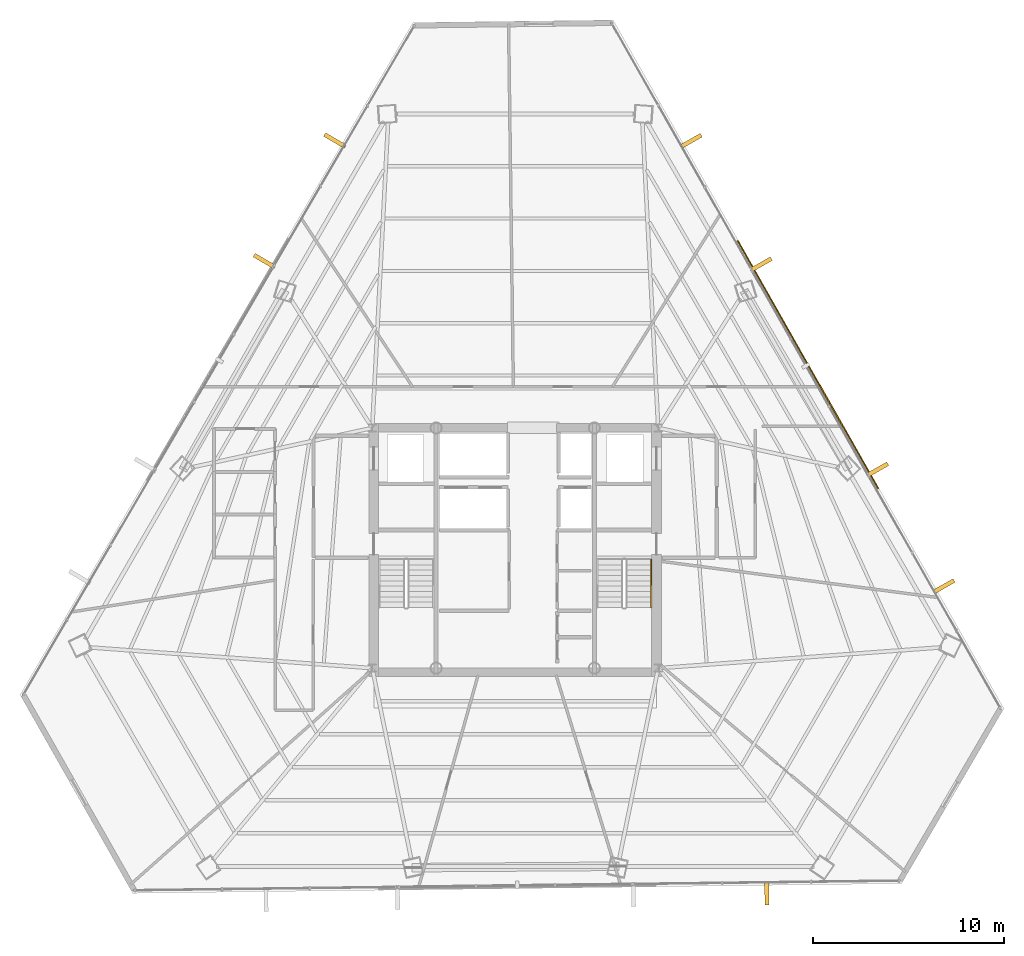
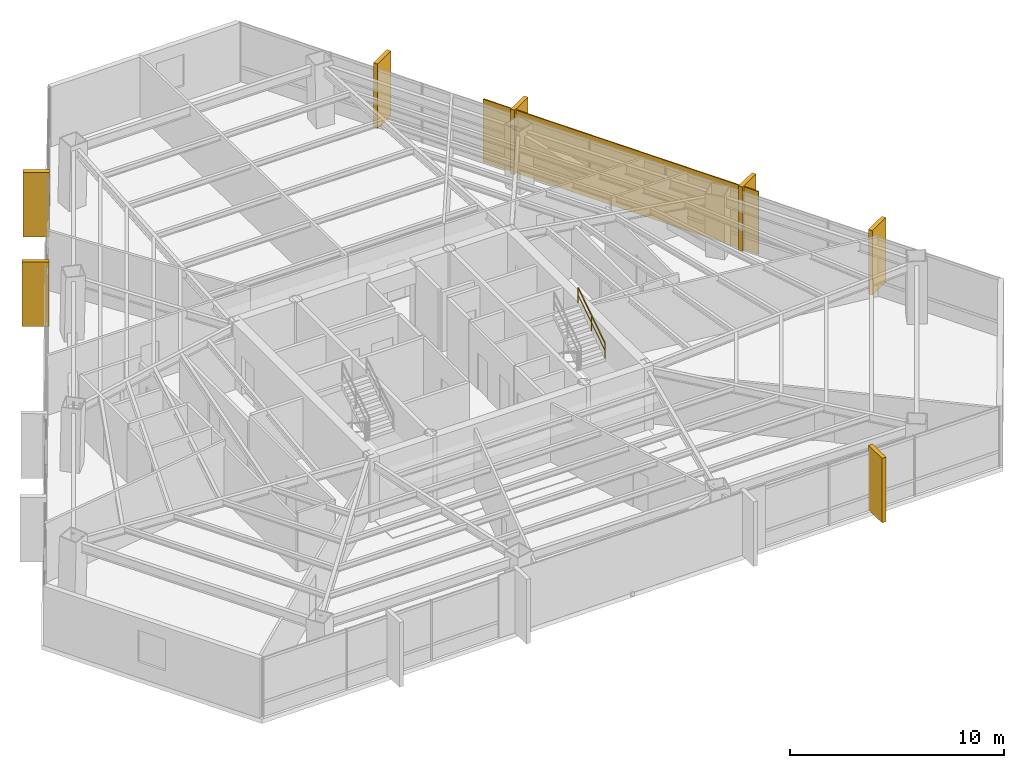
# One storey, part 41 of 41: 7 coverings, 1 railing, 1 shading device.
"""IFC4 building model written with IfcOpenShell, lengths in metres."""

from ifc_helpers import new_model, si_unit, direction, frame, origin, origin_2d, place, context, subcontext, project, spatial, rectangle, extrude, source, transform, mapped, material, layer, layer_set, type_object, type_shapes, element, save


model = new_model("IFC4")

# Units and contexts
model_context = context("Model", 3, precision=1e-05, world=origin(), true_north=direction((0.0, 1.0)))
body_context = subcontext(model_context, "Body", "Model", "MODEL_VIEW")
ifc_project = project(units=[si_unit("LENGTHUNIT", "METRE"), si_unit("AREAUNIT", "SQUARE_METRE"), si_unit("VOLUMEUNIT", "CUBIC_METRE"), si_unit("PLANEANGLEUNIT", "RADIAN"), si_unit("MASSUNIT", "GRAM", prefix="KILO")], contexts=[model_context])

# Site, building, storey
site_placement = place(None, origin())
site = spatial("IfcSite", under=ifc_project, at=site_placement, CompositionType="ELEMENT")
building_placement = place(site_placement, origin())
building = spatial("IfcBuilding", under=site, at=building_placement, Name="Caelisora Broadcast Tower", CompositionType="ELEMENT")
storey_placement = place(building_placement, frame((0.0, 0.0, 135.449951171875)))
storey = spatial("IfcBuildingStorey", under=building, at=storey_placement, Name="L35", CompositionType="ELEMENT", Elevation=135.449951171875)

# Railing
ifc_material_1 = material(Name="Stainless Steel Grade 316 Tubular Handrail", Category="steel")
ifc_layer_1 = layer(ifc_material_1, 0.048095703125, Name="Stainless Steel Grade 316 Tubular Handrail")
ifc_layer_set_1 = layer_set([ifc_layer_1], Name="Stainless Steel Grade 316 Tubular Handrail")
railing_type = type_object("IfcRailingType", Name="HR-1", PredefinedType="HANDRAIL", material=ifc_layer_set_1)
railing_placement = place(storey_placement, frame((45.1298828125, 20.580078125, 2.007568359375)))
element("IfcRailing", 1, at=railing_placement, inside=storey, type_object=railing_type, Name="L35 ST-2 stair handrail 2", PredefinedType="HANDRAIL", context=body_context, shape_type="SweptSolid", body=[
    extrude(rectangle(XDim=0.048095703125, YDim=0.048095703125, at=origin_2d()), frame((0.0, 0.0, 0.8759765625), z_axis=(0.0, 0.837749427056, 0.546054848405), x_axis=(-1.0, 0.0, 0.0)), (0.0, 0.0, 1.0), 3.008056640625),
    extrude(rectangle(XDim=0.03125, YDim=0.03125, at=origin_2d()), frame((0.0, 0.0, 0.449951171875), z_axis=(0.0, 0.837749427056, 0.546054848405), x_axis=(-1.0, 0.0, 0.0)), (0.0, 0.0, 1.0), 3.008056640625),
    extrude(rectangle(XDim=0.0419921875, YDim=0.0419921875, at=origin_2d()), origin(), (0.0, 0.0, 1.0), 0.851806640625),
    extrude(rectangle(XDim=0.0419921875, YDim=0.0419921875, at=origin_2d()), frame((0.0, 1.260009765625, 0.8212890625)), (0.0, 0.0, 1.0), 0.851806640625),
    extrude(rectangle(XDim=0.0419921875, YDim=0.0419921875, at=origin_2d()), frame((0.0, 2.52001953125, 1.642578125)), (0.0, 0.0, 1.0), 0.851806640625),
])

# Coverings
ifc_material_2 = material(Name="Kiln-Fired Terracotta Spandrel Rainscreen Cladding", Category="ceramic")
ifc_layer_2 = layer(ifc_material_2, 0.044921875, Name="Kiln-Fired Terracotta Spandrel Rainscreen Cladding")
ifc_layer_set_2 = layer_set([ifc_layer_2], Name="Kiln-Fired Terracotta Spandrel Rainscreen Cladding")
covering_type = type_object("IfcCoveringType", Name="CL-1", PredefinedType="CLADDING", material=ifc_layer_set_2)
shared_shape_1 = source(origin(), body_context, "Body", "SweptSolid", [
    extrude(rectangle(XDim=0.219970703125, YDim=1.25, at=origin_2d()), origin(), (0.0, 0.0, 1.0), 3.68994140625),
])
type_shapes(covering_type, [shared_shape_1])
for number, where, z_axis, x_axis, name in (
    (2, (47.21484375, 45.048095703125, -0.02001953125), (0.0, 0.0, 1.0), (0.493638325511, -0.869667294767, 0.0), "L35 vertical solar fin cladding #1-1"),
    (3, (50.8896484375, 38.57373046875, -0.02001953125), (0.0, 0.0, 1.0), (0.493638325511, -0.869667294767, 0.0), "L35 vertical solar fin cladding #1-2"),
    (4, (56.9970703125, 27.813232421875, -0.02001953125), (0.0, 0.0, 1.0), (0.493638325511, -0.869667294767, 0.0), "L35 vertical solar fin cladding #1-3"),
    (5, (60.4736328125, 21.6884765625, -0.02001953125), (0.0, 0.0, 1.0), (0.493638325511, -0.869667294767, 0.0), "L35 vertical solar fin cladding #1-4"),
    (6, (51.19580078125, 5.60009765625, -0.02001953125), (0.0, 0.0, 1.0), (-0.999921044204, -0.012566039883, 0.0), "L35 vertical solar fin cladding #2-1"),
    (7, (24.843505859375, 38.75, -0.02001953125), (0.0, 0.0, 1.0), (0.504527623815, 0.863395550607, 0.0), "L35 vertical solar fin cladding #3-3"),
    (8, (28.5390625, 45.07373046875, -0.02001953125), (0.0, 0.0, 1.0), (0.504527623815, 0.863395550607, 0.0), "L35 vertical solar fin cladding #3-4"),
):
    element("IfcCovering", number, at=place(storey_placement, frame(where, z_axis=z_axis, x_axis=x_axis)), inside=storey, type_object=covering_type, Name=name, PredefinedType="CLADDING", context=body_context, shape_type="MappedRepresentation", body=[
        mapped(shared_shape_1, transform((0.0, 0.0, 0.0), scale=1.0)),
    ])

# Shading device
ifc_material_3 = material(Name="Perforated Glazed Terracotta Baguette Solar Screen", Category="ceramic")
ifc_layer_3 = layer(ifc_material_3, 0.06494140625, Name="Perforated Glazed Terracotta Baguette Solar Screen")
ifc_layer_set_3 = layer_set([ifc_layer_3], Name="Perforated Glazed Terracotta Baguette Solar Screen")
shading_device_type = type_object("IfcShadingDeviceType", Name="SS-1", PredefinedType="USERDEFINED", material=ifc_layer_set_3)
shared_shape_2 = source(origin(), body_context, "Body", "SweptSolid", [
    extrude(rectangle(XDim=14.947998046875, YDim=0.06494140625, at=origin_2d()), origin(), (0.0, 0.0, 1.0), 3.590087890625),
])
type_shapes(shading_device_type, [shared_shape_2])
shading_device_placement = place(storey_placement, frame((53.353271484375, 33.32177734375, 0.0), z_axis=(0.0, 0.0, 1.0), x_axis=(-0.493638325511, 0.869667294767, 0.0)))
element("IfcShadingDevice", 9, at=shading_device_placement, inside=storey, type_object=shading_device_type, Name="L35 perforated terracotta solar screen #3", ObjectType="SOLAR SCREEN", PredefinedType="USERDEFINED", context=body_context, shape_type="MappedRepresentation", body=[
    mapped(shared_shape_2, transform((0.0, 0.0, 0.0), scale=1.0)),
])

save(model, "model.ifc")
